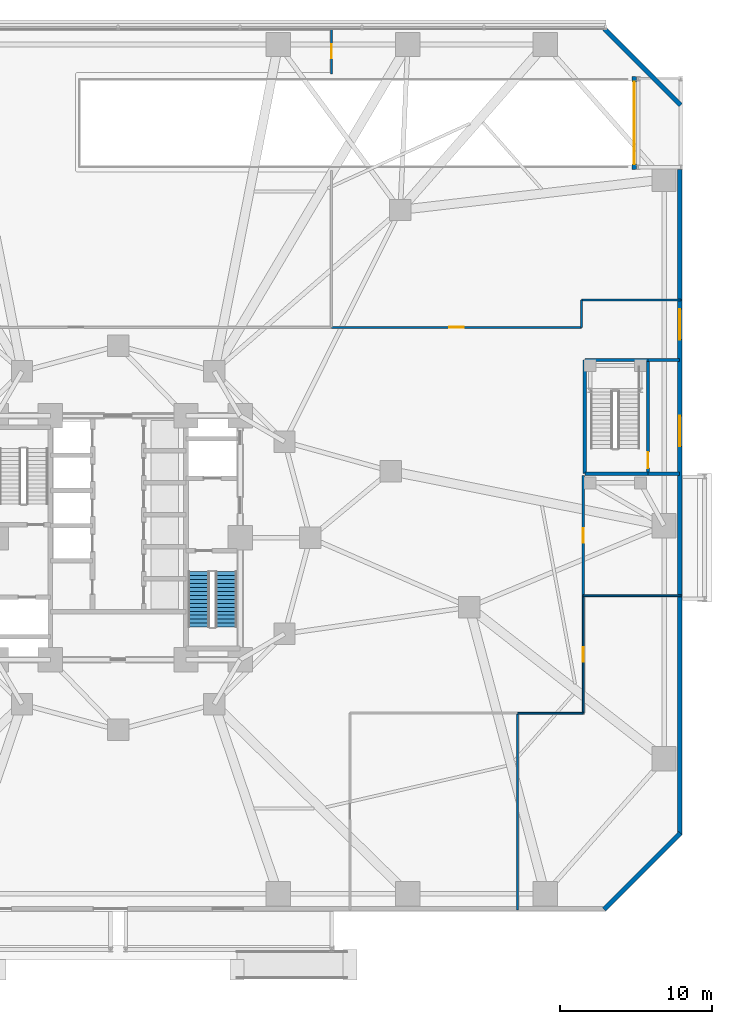
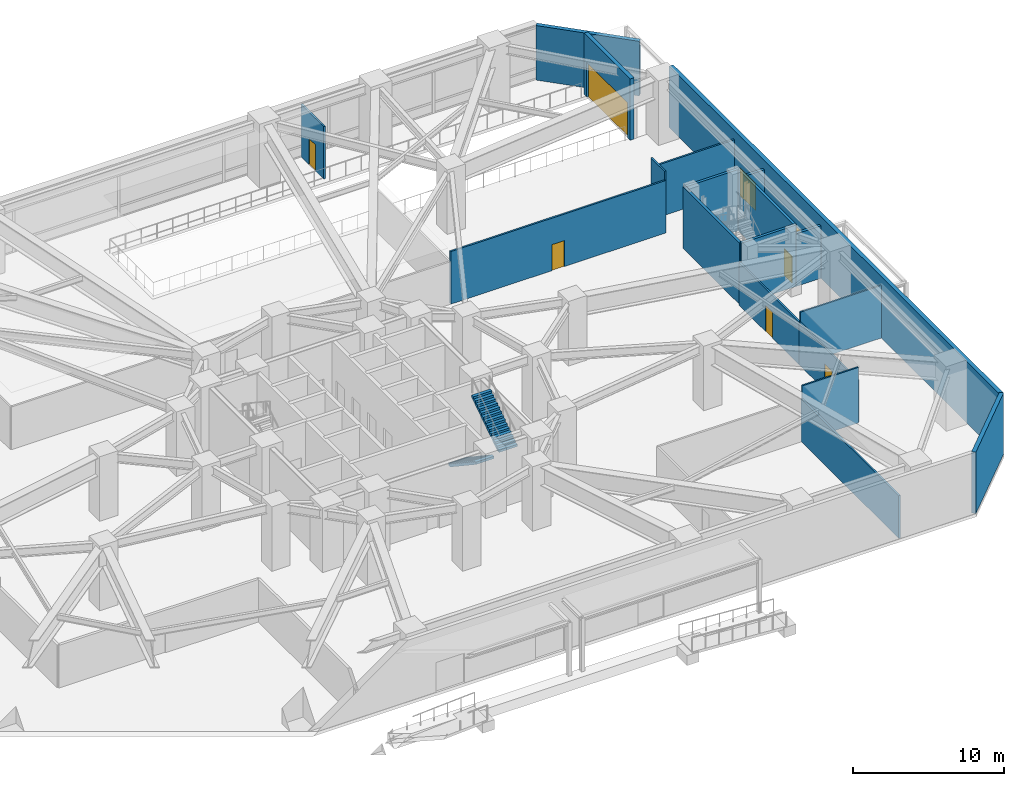
# One storey, part 20 of 30: 19 walls, 8 doors, 2 stair flights, 8 openings, 1 element without a shape of its own.
"""IFC4 building model written with IfcOpenShell, lengths in metres."""

import ifcopenshell
import ifcopenshell.guid

model = None  # the IFC model being written
_history = None  # IfcOwnerHistory: only IFC2X3 demands one
_inside = {}  # id of a spatial element -> (the spatial element, [elements in it])
_under = {}  # id of a project, library or spatial element -> (it, [spatial elements below it])
_declared = {}  # id of a project -> (the project, [libraries it declares])
_typed = {}  # id of a type object -> (the type object, [elements of that type])
_made_of = {}  # id of a material, layer set ... -> (it, [elements and type objects made of it])


def new_model(schema):
    """Start an empty IFC model of exactly this schema.

    Asked for "IFC4X3", IfcOpenShell would pick the latest addendum, in which some entities
    have other attributes; the version numbers below select the first issue.
    IFC2X3 requires an IfcOwnerHistory on every rooted entity: one is made here for all.
    """
    global model, _history
    if schema == "IFC4X3":
        model = ifcopenshell.file(schema_version=(4, 3, 0, 0))
    else:
        model = ifcopenshell.file(schema=schema)
    _inside.clear()
    _under.clear()
    _declared.clear()
    _typed.clear()
    _made_of.clear()
    _history = None
    if model.schema == "IFC2X3":
        org = make("IfcOrganization", Name="unknown")
        user = make(
            "IfcPersonAndOrganization",
            ThePerson=make("IfcPerson", FamilyName="unknown"),
            TheOrganization=org,
        )
        app = make(
            "IfcApplication",
            ApplicationDeveloper=org,
            Version="unknown",
            ApplicationFullName="unknown",
            ApplicationIdentifier="unknown",
        )
        _history = make(
            "IfcOwnerHistory",
            OwningUser=user,
            OwningApplication=app,
            ChangeAction="ADDED",
            CreationDate=0,
        )
    return model


def make(cls, **values):
    """One entity of the class cls with the attributes given. An attribute that is None is left unset."""
    return model.create_entity(
        cls, **{name: value for name, value in values.items() if value is not None}
    )


def rooted(cls, **values):
    """An entity with a GlobalId (a new one), such as an element, a storey or a relation."""
    return make(cls, GlobalId=ifcopenshell.guid.new(), OwnerHistory=_history, **values)


def si_unit(unit_type, name, prefix=None):
    """IfcSIUnit, for example si_unit("LENGTHUNIT", "METRE", prefix="MILLI")."""
    return make("IfcSIUnit", UnitType=unit_type, Prefix=prefix, Name=name)


def assignment(units):
    """IfcUnitAssignment: the units of a project."""
    return None if units is None else make("IfcUnitAssignment", Units=units)


def point(xyz):
    """IfcCartesianPoint."""
    return None if xyz is None else make("IfcCartesianPoint", Coordinates=xyz)


def direction(xyz):
    """IfcDirection."""
    return None if xyz is None else make("IfcDirection", DirectionRatios=xyz)


def frame(location, z_axis=None, x_axis=None):
    """IfcAxis2Placement3D, a coordinate frame: its origin and axes. An axis left out is left unset."""
    return make(
        "IfcAxis2Placement3D",
        Location=point(location),
        Axis=direction(z_axis),
        RefDirection=direction(x_axis),
    )


def frame_2d(location, x_axis=None):
    """IfcAxis2Placement2D, a coordinate frame in the plane: its origin and x axis."""
    return make(
        "IfcAxis2Placement2D", Location=point(location), RefDirection=direction(x_axis)
    )


def origin():
    """The frame at (0, 0, 0) with its axes left unset."""
    return frame((0.0, 0.0, 0.0))


def place(relative_to, where):
    """IfcLocalPlacement: puts the frame where relative to a parent placement (None: the world)."""
    return make(
        "IfcLocalPlacement", PlacementRelTo=relative_to, RelativePlacement=where
    )


def context(
    kind, dimensions, precision=None, world=None, true_north=None, identifier=None
):
    """IfcGeometricRepresentationContext, for example the 3D "Model" context."""
    return make(
        "IfcGeometricRepresentationContext",
        ContextIdentifier=identifier,
        ContextType=kind,
        CoordinateSpaceDimension=dimensions,
        Precision=precision,
        WorldCoordinateSystem=world,
        TrueNorth=true_north,
    )


def subcontext(parent, identifier, kind, view, scale=None):
    """IfcGeometricRepresentationSubContext, for example "Body" below "Model"."""
    return make(
        "IfcGeometricRepresentationSubContext",
        ContextIdentifier=identifier,
        ContextType=kind,
        ParentContext=parent,
        TargetScale=scale,
        TargetView=view,
    )


def project(units=None, contexts=None):
    """IfcProject with its units and contexts."""
    return rooted(
        "IfcProject",
        Name="project",
        RepresentationContexts=contexts,
        UnitsInContext=assignment(units),
    )


def spatial(cls, under=None, at=None, **own):
    """A site, building, storey or space (cls), placed at a placement, below another one or the project."""
    s = rooted(cls, ObjectPlacement=at, **own)
    if under is not None:
        _under.setdefault(under.id(), (under, []))[1].append(s)
    return s


def polyline(points):
    """IfcPolyline through the points."""
    return make("IfcPolyline", Points=[point(p) for p in points])


def profile(cls, at=None, kind="AREA", **sizes):
    """A parametric profile (cls). Its sizes go by their IFC names, for example OverallWidth=200.0."""
    return make(cls, ProfileType=kind, Position=at, **sizes)


def rectangle(**sizes):
    """IfcRectangleProfileDef."""
    return profile("IfcRectangleProfileDef", **sizes)


def outline(outer, holes=None, kind="AREA"):
    """IfcArbitraryClosedProfileDef: a profile drawn as a closed curve; with holes, ...WithVoids."""
    if holes is None:
        return make("IfcArbitraryClosedProfileDef", ProfileType=kind, OuterCurve=outer)
    return make(
        "IfcArbitraryProfileDefWithVoids",
        ProfileType=kind,
        OuterCurve=outer,
        InnerCurves=holes,
    )


def extrude(swept, where, along, depth):
    """IfcExtrudedAreaSolid: the profile swept, set in the frame where, extruded along a direction by depth."""
    return make(
        "IfcExtrudedAreaSolid",
        SweptArea=swept,
        Position=where,
        ExtrudedDirection=direction(along),
        Depth=depth,
    )


def shape(context_of_items, identifier, shape_type, items):
    """IfcShapeRepresentation: the items that make up one representation, for example the "Body"."""
    return make(
        "IfcShapeRepresentation",
        ContextOfItems=context_of_items,
        RepresentationIdentifier=identifier,
        RepresentationType=shape_type,
        Items=items,
    )


def material(Name=None, Category=None):
    """IfcMaterial."""
    return make("IfcMaterial", Name=Name, Category=Category)


def layer(
    of_material, thickness, ventilated=None, Name=None, Category=None, Priority=None
):
    """IfcMaterialLayer: one layer of a wall or slab, of a material (None: an air gap)."""
    return make(
        "IfcMaterialLayer",
        Material=of_material,
        LayerThickness=thickness,
        IsVentilated=ventilated,
        Name=Name,
        Category=Category,
        Priority=Priority,
    )


def layer_set(layers, Name=None):
    """IfcMaterialLayerSet."""
    return make("IfcMaterialLayerSet", MaterialLayers=layers, LayerSetName=Name)


def made_of(thing, what):
    """Note that an element or type object is made of a material, layer set ...; save() writes the relation."""
    if what is not None:
        _made_of.setdefault(what.id(), (what, []))[1].append(thing)
    return thing


def type_object(cls, material=None, **own):
    """A type object (cls), such as IfcWallType, which elements share."""
    return made_of(rooted(cls, **own), material)


def element(
    cls,
    number,
    at=None,
    inside=None,
    cuts=None,
    type_object=None,
    material=None,
    context=None,
    identifier="Body",
    shape_type=None,
    held_by="IfcProductDefinitionShape",
    body=None,
    shapes=None,
    **own,
):
    """One element of the class cls, such as IfcWall. Its Tag is "e" and its number.

    at: its placement. inside: the storey or other place that contains it. cuts: it is an
    opening in that element (IfcRelVoidsElement). A single representation is given by context,
    identifier, shape_type and body (its items); several are given by shapes. held_by: the class
    of the entity that holds the representations. save() writes the other relations.
    """
    e = rooted(cls, Tag="e%d" % number, ObjectPlacement=at, **own)
    if body is not None:
        shapes = [shape(context, identifier, shape_type, body)]
    if shapes is not None:
        e.Representation = make(held_by, Representations=shapes)
    if inside is not None:
        _inside.setdefault(inside.id(), (inside, []))[1].append(e)
    if cuts is not None:
        rooted(
            "IfcRelVoidsElement", RelatingBuildingElement=cuts, RelatedOpeningElement=e
        )
    if type_object is not None:
        _typed.setdefault(type_object.id(), (type_object, []))[1].append(e)
    return made_of(e, material)


def fill(opening, filler):
    """IfcRelFillsElement: the door or window that sits in an opening."""
    return rooted(
        "IfcRelFillsElement",
        RelatingOpeningElement=opening,
        RelatedBuildingElement=filler,
    )


def aggregate(whole, parts):
    """IfcRelAggregates: a whole, such as a stair, and the parts it consists of."""
    return rooted("IfcRelAggregates", RelatingObject=whole, RelatedObjects=parts)


def save(model, path):
    """Write the relations noted so far, then the file.

    IfcRelAggregates (storeys below a building ...), IfcRelContainedInSpatialStructure (elements
    in a storey), IfcRelDefinesByType, IfcRelAssociatesMaterial and IfcRelDeclares: one each for
    every whole, place, type object, material and project.
    """
    for whole, parts in _under.values():
        aggregate(whole, parts)
    for where, things in _inside.values():
        rooted(
            "IfcRelContainedInSpatialStructure",
            RelatedElements=things,
            RelatingStructure=where,
        )
    for kind, things in _typed.values():
        rooted("IfcRelDefinesByType", RelatedObjects=things, RelatingType=kind)
    for what, things in _made_of.values():
        rooted("IfcRelAssociatesMaterial", RelatedObjects=things, RelatingMaterial=what)
    for by, libraries in _declared.values():
        rooted("IfcRelDeclares", RelatingContext=by, RelatedDefinitions=libraries)
    model.write(path)


model = new_model("IFC4")

# Units and contexts
model_context = context("Model", 3, precision=1e-05, world=origin(), true_north=direction((0.0, 1.0)))
body_context = subcontext(model_context, "Body", "Model", "MODEL_VIEW")
ifc_project = project(units=[si_unit("LENGTHUNIT", "METRE"), si_unit("AREAUNIT", "SQUARE_METRE"), si_unit("VOLUMEUNIT", "CUBIC_METRE"), si_unit("PLANEANGLEUNIT", "RADIAN"), si_unit("MASSUNIT", "GRAM", prefix="KILO")], contexts=[model_context])

# Site, building, storey
site_placement = place(None, origin())
site = spatial("IfcSite", under=ifc_project, at=site_placement, CompositionType="ELEMENT")
building_placement = place(site_placement, origin())
building = spatial("IfcBuilding", under=site, at=building_placement, Name="Terralouvre Media Tower", CompositionType="ELEMENT")
storey_placement = place(building_placement, origin())
storey = spatial("IfcBuildingStorey", under=building, at=storey_placement, Name="L00", CompositionType="ELEMENT", Elevation=0.0)

# Wall
ifc_material_1 = material(Name="Fire-rated gypsum board drywall partition")
ifc_layer_1 = layer(ifc_material_1, 0.199951171875, Name="Fire-Rated Shaft and Lobby Partition FW-200")
ifc_layer_set_1 = layer_set([ifc_layer_1], Name="Fire-rated gypsum board drywall partition")
wall_type_1 = type_object("IfcWallType", Name="Fire-Rated Shaft and Lobby Partition FW-200", PredefinedType="SOLIDWALL", material=ifc_layer_set_1)
wall_1_placement = place(storey_placement, frame((30.60009765625, 4.199951171875, 0.0), z_axis=(0.0, 0.0, 1.0), x_axis=(1.0, 0.0, 0.0)))
element("IfcWall", 1, at=wall_1_placement, inside=storey, type_object=wall_type_1, Name="L00 ST04 Stair Shaft Wall S", PredefinedType="SOLIDWALL", context=body_context, shape_type="SweptSolid", body=[
    extrude(rectangle(XDim=4.14990234375, YDim=0.199951171875, at=frame_2d((2.074951171875, 0.0))), origin(), (0.0, 0.0, 1.0), 4.949951171875),
])

# Wall, opening, door
wall_2_placement = place(storey_placement, frame((34.75, 4.199951171875, 0.0), z_axis=(0.0, 0.0, 1.0), x_axis=(0.0, 1.0, 0.0)))
wall_2 = element("IfcWall", 2, at=wall_2_placement, inside=storey, type_object=wall_type_1, Name="L00 ST04 Stair Shaft Wall E", PredefinedType="SOLIDWALL", context=body_context, shape_type="SweptSolid", body=[
    extrude(rectangle(XDim=7.449951171875, YDim=0.199951171875, at=frame_2d((3.72509765625, 0.0))), origin(), (0.0, 0.0, 1.0), 4.949951171875),
])
opening_1_placement = place(wall_2_placement, frame((0.360107421875, 0.0, 0.0)))
opening_1 = element("IfcOpeningElement", 3, at=opening_1_placement, cuts=wall_2, Name="Opening FD-01-105X215", PredefinedType="OPENING", context=body_context, shape_type="SweptSolid", body=[
    extrude(rectangle(XDim=1.050048828125, YDim=2.14990234375, at=frame_2d((0.52490234375, 1.074951171875))), frame((0.0, 0.10986328125, 0.0), z_axis=(0.0, -1.0, 0.0), x_axis=(1.0, 0.0, 0.0)), (0.0, 0.0, 1.0), 0.219970703125),
])
ifc_material_2 = material(Name="Galvanised steel fire-resisting leaf", Category="steel")
door_type_1 = type_object("IfcDoorType", Name="Stair and Firefighting Lobby Fire Door FD-01 (1050x2150)", OperationType="NOTDEFINED", PredefinedType="DOOR", material=ifc_material_2)
door_1_placement = place(opening_1_placement, origin())
door_1 = element("IfcDoor", 4, at=door_1_placement, inside=storey, type_object=door_type_1, Name="L00 ST04 Pressurised Stair Door", OperationType="SINGLE_SWING_RIGHT", OverallHeight=2.14990234375, OverallWidth=1.050048828125, PredefinedType="DOOR", context=body_context, shape_type="SweptSolid", body=[
    extrude(rectangle(XDim=1.050048828125, YDim=2.14990234375, at=frame_2d((0.52490234375, 1.074951171875))), frame((0.0, 0.02490234375, 0.0), z_axis=(0.0, -1.0, 0.0), x_axis=(1.0, 0.0, 0.0)), (0.0, 0.0, 1.0), 0.050048828125),
])
fill(opening_1, door_1)

# Walls
wall_3_placement = place(storey_placement, frame((34.75, 11.64990234375, 0.0), z_axis=(0.0, 0.0, 1.0), x_axis=(-1.0, 0.0, 0.0)))
element("IfcWall", 5, at=wall_3_placement, inside=storey, type_object=wall_type_1, Name="L00 ST04 Stair Shaft Wall N", PredefinedType="SOLIDWALL", context=body_context, shape_type="SweptSolid", body=[
    extrude(rectangle(XDim=4.14990234375, YDim=0.199951171875, at=frame_2d((2.074951171875, 0.0))), origin(), (0.0, 0.0, 1.0), 4.949951171875),
])
wall_4_placement = place(storey_placement, frame((30.60009765625, 11.64990234375, 0.0), z_axis=(0.0, 0.0, 1.0), x_axis=(0.0, -1.0, 0.0)))
element("IfcWall", 6, at=wall_4_placement, inside=storey, type_object=wall_type_1, Name="L00 ST04 Stair Shaft Wall W", PredefinedType="SOLIDWALL", context=body_context, shape_type="SweptSolid", body=[
    extrude(rectangle(XDim=7.449951171875, YDim=0.199951171875, at=frame_2d((3.72509765625, 0.0))), origin(), (0.0, 0.0, 1.0), 4.949951171875),
])
for number, where, z_axis, x_axis, name in (
    (7, (34.75, 4.199951171875, 0.0), (0.0, 0.0, 1.0), (1.0, 0.0, 0.0), "L00 East Stair Exit Passageway South Wall"),
    (8, (36.824951171875, 11.64990234375, 0.0), (0.0, 0.0, 1.0), (-1.0, 0.0, 0.0), "L00 East Stair Exit Passageway North Wall"),
):
    element("IfcWall", number, at=place(storey_placement, frame(where, z_axis=z_axis, x_axis=x_axis)), inside=storey, type_object=wall_type_1, Name=name, PredefinedType="SOLIDWALL", context=body_context, shape_type="SweptSolid", body=[
        extrude(rectangle(XDim=2.074951171875, YDim=0.199951171875, at=frame_2d((1.03759765625, 0.0))), origin(), (0.0, 0.0, 1.0), 4.235107421875),
    ])

# Wall, opening, door
ifc_material_3 = material(Name="Fire-rated gypsum board drywall partition")
ifc_layer_2 = layer(ifc_material_3, 0.135009765625, Name="Newsroom Acoustic Partition PT-135")
ifc_layer_set_2 = layer_set([ifc_layer_2], Name="Fire-rated gypsum board drywall partition")
wall_type_2 = type_object("IfcWallType", Name="Newsroom Acoustic Partition PT-135", PredefinedType="PARTITIONING", material=ifc_layer_set_2)
wall_5_placement = place(storey_placement, frame((30.5, -3.800048828125, 0.0), z_axis=(0.0, 0.0, 1.0), x_axis=(0.0, 1.0, 0.0)))
wall_5 = element("IfcWall", 9, at=wall_5_placement, inside=storey, type_object=wall_type_2, Name="L00 Interior Partition 008", PredefinedType="PARTITIONING", context=body_context, shape_type="SweptSolid", body=[
    extrude(rectangle(XDim=7.900146484375, YDim=0.135009765625, at=frame_2d((3.9501953125, 0.0))), origin(), (0.0, 0.0, 1.0), 3.43505859375),
])
opening_2_placement = place(wall_5_placement, frame((3.47509765625, 0.0, 0.0)))
opening_2 = element("IfcOpeningElement", 10, at=opening_2_placement, cuts=wall_5, Name="Opening ID-02-95X210", PredefinedType="OPENING", context=body_context, shape_type="SweptSolid", body=[
    extrude(rectangle(XDim=0.949951171875, YDim=2.10009765625, at=frame_2d((0.47509765625, 1.050048828125))), frame((0.0, 0.077392578125, 0.0), z_axis=(0.0, -1.0, 0.0), x_axis=(1.0, 0.0, 0.0)), (0.0, 0.0, 1.0), 0.155029296875),
])
ifc_material_4 = material(Name="Engineered hardwood acoustic timber leaf", Category="wood")
door_type_2 = type_object("IfcDoorType", Name="Office and Meeting Room Door ID-02 (950x2100)", OperationType="NOTDEFINED", PredefinedType="DOOR", material=ifc_material_4)
door_2_placement = place(opening_2_placement, origin())
door_2 = element("IfcDoor", 11, at=door_2_placement, inside=storey, type_object=door_type_2, Name="L00 Broadcast Staging Store 5 Door", OperationType="SINGLE_SWING_LEFT", OverallHeight=2.10009765625, OverallWidth=0.949951171875, PredefinedType="DOOR", context=body_context, shape_type="SweptSolid", body=[
    extrude(rectangle(XDim=0.949951171875, YDim=2.10009765625, at=frame_2d((0.47509765625, 1.050048828125))), frame((0.0, 0.02490234375, 0.0), z_axis=(0.0, -1.0, 0.0), x_axis=(1.0, 0.0, 0.0)), (0.0, 0.0, 1.0), 0.050048828125),
])
fill(opening_2, door_2)

# Walls
wall_6_placement = place(storey_placement, frame((36.919921875, 15.60009765625, 0.0), z_axis=(0.0, 0.0, 1.0), x_axis=(-1.0, 0.0, 0.0)))
element("IfcWall", 12, at=wall_6_placement, inside=storey, type_object=wall_type_2, Name="L00 Interior Partition 009", PredefinedType="PARTITIONING", context=body_context, shape_type="SweptSolid", body=[
    extrude(rectangle(XDim=6.52001953125, YDim=0.135009765625, at=frame_2d((3.260009765625, 0.0))), origin(), (0.0, 0.0, 1.0), 4.235107421875),
])
wall_7_placement = place(storey_placement, frame((30.39990234375, 15.60009765625, 0.0), z_axis=(0.0, 0.0, 1.0), x_axis=(0.0, -1.0, 0.0)))
element("IfcWall", 13, at=wall_7_placement, inside=storey, type_object=wall_type_2, Name="L00 Interior Partition 010", PredefinedType="PARTITIONING", context=body_context, shape_type="SweptSolid", body=[
    extrude(rectangle(XDim=1.800048828125, YDim=0.135009765625, at=frame_2d((0.89990234375, 0.0))), origin(), (0.0, 0.0, 1.0), 4.949951171875),
])

# Wall, opening, door
wall_8_placement = place(storey_placement, frame((30.39990234375, 13.800048828125, 0.0), z_axis=(0.0, 0.0, 1.0), x_axis=(-1.0, 0.0, 0.0)))
wall_8 = element("IfcWall", 14, at=wall_8_placement, inside=storey, type_object=wall_type_2, Name="L00 Interior Partition 011", PredefinedType="PARTITIONING", context=body_context, shape_type="SweptSolid", body=[
    extrude(rectangle(XDim=16.39990234375, YDim=0.135009765625, at=frame_2d((8.199951171875, 0.0))), origin(), (0.0, 0.0, 1.0), 4.235107421875),
])
opening_3_placement = place(wall_8_placement, frame((7.72509765625, 0.0, 0.0)))
opening_3 = element("IfcOpeningElement", 15, at=opening_3_placement, cuts=wall_8, Name="Opening ID-02-95X210", PredefinedType="OPENING", context=body_context, shape_type="SweptSolid", body=[
    extrude(rectangle(XDim=0.949951171875, YDim=2.10009765625, at=frame_2d((0.47509765625, 1.050048828125))), frame((0.0, 0.077392578125, 0.0), z_axis=(0.0, -1.0, 0.0), x_axis=(1.0, 0.0, 0.0)), (0.0, 0.0, 1.0), 0.155029296875),
])
door_3_placement = place(opening_3_placement, origin())
door_3 = element("IfcDoor", 16, at=door_3_placement, inside=storey, type_object=door_type_2, Name="L00 Broadcast Staging Store 6 Door", OperationType="SINGLE_SWING_RIGHT", OverallHeight=2.10009765625, OverallWidth=0.949951171875, PredefinedType="DOOR", context=body_context, shape_type="SweptSolid", body=[
    extrude(rectangle(XDim=0.949951171875, YDim=2.10009765625, at=frame_2d((0.47509765625, 1.050048828125))), frame((0.0, 0.02490234375, 0.0), z_axis=(0.0, -1.0, 0.0), x_axis=(1.0, 0.0, 0.0)), (0.0, 0.0, 1.0), 0.050048828125),
])
fill(opening_3, door_3)

# Wall
wall_9_placement = place(storey_placement, frame((26.199951171875, -24.419921875, 0.0), z_axis=(0.0, 0.0, 1.0), x_axis=(0.0, 1.0, 0.0)))
element("IfcWall", 17, at=wall_9_placement, inside=storey, type_object=wall_type_2, Name="L00 Interior Partition 020", PredefinedType="PARTITIONING", context=body_context, shape_type="SweptSolid", body=[
    extrude(rectangle(XDim=12.919921875, YDim=0.135009765625, at=frame_2d((6.4599609375, 0.0))), origin(), (0.0, 0.0, 1.0), 3.43505859375),
])

# Wall, opening, door
wall_10_placement = place(storey_placement, frame((14.0, 33.419921875, 0.0), z_axis=(0.0, 0.0, 1.0), x_axis=(0.0, -1.0, 0.0)))
wall_10 = element("IfcWall", 18, at=wall_10_placement, inside=storey, type_object=wall_type_2, Name="L00 Interior Partition 023", PredefinedType="PARTITIONING", context=body_context, shape_type="SweptSolid", body=[
    extrude(rectangle(XDim=3.02001953125, YDim=0.135009765625, at=frame_2d((1.510009765625, 0.0))), origin(), (0.0, 0.0, 1.0), 4.235107421875),
])
opening_4_placement = place(wall_10_placement, frame((1.050048828125, 0.0, 0.0)))
opening_4 = element("IfcOpeningElement", 19, at=opening_4_placement, cuts=wall_10, Name="Opening ID-03-92X210", PredefinedType="OPENING", context=body_context, shape_type="SweptSolid", body=[
    extrude(rectangle(XDim=0.919921875, YDim=2.10009765625, at=frame_2d((0.4599609375, 1.050048828125))), frame((0.0, 0.077392578125, 0.0), z_axis=(0.0, -1.0, 0.0), x_axis=(1.0, 0.0, 0.0)), (0.0, 0.0, 1.0), 0.155029296875),
])
ifc_material_5 = material(Name="Engineered hardwood acoustic timber leaf", Category="wood")
door_type_3 = type_object("IfcDoorType", Name="Accessible Restroom and Suite Door ID-03 (920x2100)", OperationType="NOTDEFINED", PredefinedType="DOOR", material=ifc_material_5)
door_4_placement = place(opening_4_placement, origin())
door_4 = element("IfcDoor", 20, at=door_4_placement, inside=storey, type_object=door_type_3, Name="L00 Broadcast Staging Store 7 Door", OperationType="SINGLE_SWING_LEFT", OverallHeight=2.10009765625, OverallWidth=0.919921875, PredefinedType="DOOR", context=body_context, shape_type="SweptSolid", body=[
    extrude(rectangle(XDim=0.919921875, YDim=2.10009765625, at=frame_2d((0.4599609375, 1.050048828125))), frame((0.0, 0.02490234375, 0.0), z_axis=(0.0, -1.0, 0.0), x_axis=(1.0, 0.0, 0.0)), (0.0, 0.0, 1.0), 0.050048828125),
])
fill(opening_4, door_4)

# Wall
ifc_material_6 = material(Name="Kiln-fired architectural terracotta rainscreen cladding", Category="masonry")
ifc_layer_3 = layer(ifc_material_6, 0.300048828125, Name="Podium Acoustic Terracotta Cladding Wall EW-TC300")
ifc_layer_set_3 = layer_set([ifc_layer_3], Name="Kiln-fired architectural terracotta rainscreen cladding")
wall_type_3 = type_object("IfcWallType", Name="Podium Acoustic Terracotta Cladding Wall EW-TC300", PredefinedType="SOLIDWALL", material=ifc_layer_set_3)
wall_11_placement = place(storey_placement, frame((31.876220703125, -24.376220703125, 0.0), z_axis=(0.0, 0.0, 1.0), x_axis=(0.707106781187, 0.707106781187, 0.0)))
element("IfcWall", 21, at=wall_11_placement, inside=storey, type_object=wall_type_3, Name="L00 Podium Terracotta Wall F1", PredefinedType="SOLIDWALL", context=body_context, shape_type="SweptSolid", body=[
    extrude(rectangle(XDim=7.071044921875, YDim=0.300048828125, at=frame_2d((3.53564453125, 0.0))), origin(), (0.0, 0.0, 1.0), 4.949951171875),
])

# Wall, openings, doors
wall_12_placement = place(storey_placement, frame((36.824951171875, -19.5, 0.0), z_axis=(0.0, 0.0, 1.0), x_axis=(0.0, 1.0, 0.0)))
wall_12 = element("IfcWall", 22, at=wall_12_placement, inside=storey, type_object=wall_type_3, Name="L00 East Broadcast Service Wall", PredefinedType="SOLIDWALL", context=body_context, shape_type="SweptSolid", body=[
    extrude(rectangle(XDim=43.64990234375, YDim=0.300048828125, at=frame_2d((21.824951171875, 0.0))), origin(), (0.0, 0.0, 1.0), 4.949951171875),
])
opening_5_placement = place(wall_12_placement, frame((32.5, 0.0, 0.0)))
opening_5 = element("IfcOpeningElement", 23, at=opening_5_placement, cuts=wall_12, Name="Opening ED-02", PredefinedType="OPENING", context=body_context, shape_type="SweptSolid", body=[
    extrude(rectangle(XDim=2.0, YDim=2.199951171875, at=frame_2d((1.0, 1.10009765625))), frame((0.0, 0.159912109375, 0.0), z_axis=(0.0, -1.0, 0.0), x_axis=(1.0, 0.0, 0.0)), (0.0, 0.0, 1.0), 0.320068359375),
])
opening_6_placement = place(wall_12_placement, frame((25.5, 0.0, 0.0)))
opening_6 = element("IfcOpeningElement", 24, at=opening_6_placement, cuts=wall_12, Name="Opening ED-02", PredefinedType="OPENING", context=body_context, shape_type="SweptSolid", body=[
    extrude(rectangle(XDim=2.0, YDim=2.199951171875, at=frame_2d((1.0, 1.10009765625))), frame((0.0, 0.159912109375, 0.0), z_axis=(0.0, -1.0, 0.0), x_axis=(1.0, 0.0, 0.0)), (0.0, 0.0, 1.0), 0.320068359375),
])
ifc_material_7 = material(Name="Galvanised steel sheet and fire-rated mineral core", Category="steel")
door_type_4 = type_object("IfcDoorType", Name="Ground Final Exit Double Door ED-02", OperationType="DOUBLE_DOOR_SINGLE_SWING", PredefinedType="DOOR", material=ifc_material_7)
door_5_placement = place(opening_5_placement, frame((2.0, 0.0, 0.0), z_axis=(0.0, 0.0, 1.0), x_axis=(-1.0, 0.0, 0.0)))
door_5 = element("IfcDoor", 25, at=door_5_placement, inside=storey, type_object=door_type_4, Name="L00 East Final Exit Door", OperationType="DOUBLE_DOOR_SINGLE_SWING", OverallHeight=2.199951171875, OverallWidth=2.0, PredefinedType="DOOR", context=body_context, shape_type="SweptSolid", body=[
    extrude(rectangle(XDim=2.0, YDim=2.199951171875, at=frame_2d((1.0, 1.10009765625))), frame((0.0, 0.02490234375, 0.0), z_axis=(0.0, -1.0, 0.0), x_axis=(1.0, 0.0, 0.0)), (0.0, 0.0, 1.0), 0.050048828125),
])
fill(opening_5, door_5)
door_6_placement = place(opening_6_placement, frame((2.0, 0.0, 0.0), z_axis=(0.0, 0.0, 1.0), x_axis=(-1.0, 0.0, 0.0)))
door_6 = element("IfcDoor", 26, at=door_6_placement, inside=storey, type_object=door_type_4, Name="L00 East Stair ST-04 Direct Final Exit Door", OperationType="DOUBLE_DOOR_SINGLE_SWING", OverallHeight=2.199951171875, OverallWidth=2.0, PredefinedType="DOOR", context=body_context, shape_type="SweptSolid", body=[
    extrude(rectangle(XDim=2.0, YDim=2.199951171875, at=frame_2d((1.0, 1.10009765625))), frame((0.0, 0.02490234375, 0.0), z_axis=(0.0, -1.0, 0.0), x_axis=(1.0, 0.0, 0.0)), (0.0, 0.0, 1.0), 0.050048828125),
])
fill(opening_6, door_6)

# Wall, opening, door
wall_13_placement = place(storey_placement, frame((33.85009765625, 24.14990234375, 0.0), z_axis=(0.0, 0.0, 1.0), x_axis=(0.0, 1.0, 0.0)))
wall_13 = element("IfcWall", 27, at=wall_13_placement, inside=storey, type_object=wall_type_3, Name="L00 Vehicle Ramp Portal Wall", PredefinedType="SOLIDWALL", context=body_context, shape_type="SweptSolid", body=[
    extrude(rectangle(XDim=6.10009765625, YDim=0.300048828125, at=frame_2d((3.050048828125, 0.0))), origin(), (0.0, 0.0, 1.0), 4.949951171875),
])
opening_7_placement = place(wall_13_placement, frame((0.35009765625, 0.0, 0.0)))
opening_7 = element("IfcOpeningElement", 28, at=opening_7_placement, cuts=wall_13, Name="Opening VG-01", PredefinedType="OPENING", context=body_context, shape_type="SweptSolid", body=[
    extrude(rectangle(XDim=5.39990234375, YDim=2.800048828125, at=frame_2d((2.699951171875, 1.39990234375))), frame((0.0, 0.159912109375, 0.0), z_axis=(0.0, -1.0, 0.0), x_axis=(1.0, 0.0, 0.0)), (0.0, 0.0, 1.0), 0.320068359375),
])
ifc_material_8 = material(Name="Galvanised steel fire-resisting shutter lath", Category="steel")
door_type_5 = type_object("IfcDoorType", Name="Vehicle Ramp Roller Shutter Gate VG-01", OperationType="ROLLINGUP", PredefinedType="GATE", material=ifc_material_8)
door_7_placement = place(opening_7_placement, origin())
door_7 = element("IfcDoor", 29, at=door_7_placement, inside=storey, type_object=door_type_5, Name="Vehicle Ramp Roller Shutter Gate VG-01", OperationType="ROLLINGUP", OverallHeight=2.800048828125, OverallWidth=5.39990234375, PredefinedType="GATE", context=body_context, shape_type="SweptSolid", body=[
    extrude(rectangle(XDim=5.39990234375, YDim=2.800048828125, at=frame_2d((2.699951171875, 1.39990234375))), frame((0.0, 0.02490234375, 0.0), z_axis=(0.0, -1.0, 0.0), x_axis=(1.0, 0.0, 0.0)), (0.0, 0.0, 1.0), 0.050048828125),
])
fill(opening_7, door_7)

# Walls
wall_14_placement = place(storey_placement, frame((36.876220703125, 28.376220703125, 0.0), z_axis=(0.0, 0.0, 1.0), x_axis=(-0.707106781187, 0.707106781187, 0.0)))
element("IfcWall", 30, at=wall_14_placement, inside=storey, type_object=wall_type_3, Name="L00 Podium Terracotta Wall F3", PredefinedType="SOLIDWALL", context=body_context, shape_type="SweptSolid", body=[
    extrude(rectangle(XDim=7.071044921875, YDim=0.300048828125, at=frame_2d((3.53564453125, 0.0))), origin(), (0.0, 0.0, 1.0), 4.39990234375),
])
ifc_material_9 = material(Name="Fire-rated gypsum board drywall partition")
ifc_layer_4 = layer(ifc_material_9, 0.114990234375, Name="Restroom and Pantry Partition PT-115")
ifc_layer_set_4 = layer_set([ifc_layer_4], Name="Fire-rated gypsum board drywall partition")
wall_type_4 = type_object("IfcWallType", Name="Restroom and Pantry Partition PT-115", PredefinedType="PARTITIONING", material=ifc_layer_set_4)
wall_15_placement = place(storey_placement, frame((26.199951171875, -11.5, 0.0), z_axis=(0.0, 0.0, 1.0), x_axis=(1.0, 0.0, 0.0)))
element("IfcWall", 31, at=wall_15_placement, inside=storey, type_object=wall_type_4, Name="L00 Interior Partition 006", PredefinedType="PARTITIONING", context=body_context, shape_type="SweptSolid", body=[
    extrude(rectangle(XDim=4.300048828125, YDim=0.114990234375, at=frame_2d((2.14990234375, 0.0))), origin(), (0.0, 0.0, 1.0), 4.485107421875),
])

# Wall, opening, door
wall_16_placement = place(storey_placement, frame((30.5, -11.5, 0.0), z_axis=(0.0, 0.0, 1.0), x_axis=(0.0, 1.0, 0.0)))
wall_16 = element("IfcWall", 32, at=wall_16_placement, inside=storey, type_object=wall_type_4, Name="L00 Interior Partition 007", PredefinedType="PARTITIONING", context=body_context, shape_type="SweptSolid", body=[
    extrude(rectangle(XDim=7.699951171875, YDim=0.114990234375, at=frame_2d((3.85009765625, 0.0))), origin(), (0.0, 0.0, 1.0), 3.43505859375),
])
opening_8_placement = place(wall_16_placement, frame((3.375, 0.0, 0.0)))
opening_8 = element("IfcOpeningElement", 33, at=opening_8_placement, cuts=wall_16, Name="Opening SD-01-95X210", PredefinedType="OPENING", context=body_context, shape_type="SweptSolid", body=[
    extrude(rectangle(XDim=0.949951171875, YDim=2.10009765625, at=frame_2d((0.47509765625, 1.050048828125))), frame((0.0, 0.0673828125, 0.0), z_axis=(0.0, -1.0, 0.0), x_axis=(1.0, 0.0, 0.0)), (0.0, 0.0, 1.0), 0.135009765625),
])
ifc_material_10 = material(Name="Anodised extruded aluminium 6063-T6", Category="aluminium")
door_type_6 = type_object("IfcDoorType", Name="Pantry Pocket Sliding Door SD-01 (950x2100)", OperationType="SLIDING_TO_LEFT", PredefinedType="DOOR", material=ifc_material_10)
door_8_placement = place(opening_8_placement, origin())
door_8 = element("IfcDoor", 34, at=door_8_placement, inside=storey, type_object=door_type_6, Name="L00 Broadcast Boulevard Cafe Kitchen Door", OperationType="SLIDING_TO_LEFT", OverallHeight=2.10009765625, OverallWidth=0.949951171875, PredefinedType="DOOR", context=body_context, shape_type="SweptSolid", body=[
    extrude(rectangle(XDim=0.949951171875, YDim=2.10009765625, at=frame_2d((0.47509765625, 1.050048828125))), frame((0.0, 0.02490234375, 0.0), z_axis=(0.0, -1.0, 0.0), x_axis=(1.0, 0.0, 0.0)), (0.0, 0.0, 1.0), 0.050048828125),
])
fill(opening_8, door_8)

# Wall
wall_17_placement = place(storey_placement, frame((36.919921875, -3.800048828125, 0.0), z_axis=(0.0, 0.0, 1.0), x_axis=(-1.0, 0.0, 0.0)))
element("IfcWall", 35, at=wall_17_placement, inside=storey, type_object=wall_type_4, Name="L00 Interior Partition 021", PredefinedType="PARTITIONING", context=body_context, shape_type="SweptSolid", body=[
    extrude(rectangle(XDim=6.419921875, YDim=0.114990234375, at=frame_2d((3.2099609375, 0.0))), origin(), (0.0, 0.0, 1.0), 4.235107421875),
])

# Stair, stair flights
ifc_material_11 = material(Name="Concrete C45/55", Category="concrete")
stair_type = type_object("IfcStairType", Name="Dogleg Stair Assembly ST-02", PredefinedType="HALF_TURN_STAIR", material=ifc_material_11)
stair_placement = place(storey_placement, origin())
stair = element("IfcStair", 36, at=stair_placement, inside=storey, type_object=stair_type, Name="L00 Core Pressurised Exit Stair ST-02", PredefinedType="HALF_TURN_STAIR")
ifc_material_12 = material(Name="Concrete C45/55", Category="concrete")
stair_flight_type = type_object("IfcStairFlightType", Name="Reinforced Concrete Stair Flight SF-RC1", PredefinedType="STRAIGHT", material=ifc_material_12)
stair_flight_1_placement = place(storey_placement, frame((5.300048828125, -2.219970703125, 0.0), z_axis=(0.0, 0.0, 1.0), x_axis=(0.0, -1.0, 0.0)))
stair_flight_1 = element("IfcStairFlight", 37, at=stair_flight_1_placement, type_object=stair_flight_type, Name="ST-02 flight 1", NumberOfRisers=15, NumberOfTreads=14, PredefinedType="STRAIGHT", RiserHeight=0.173333333, TreadLength=0.26, context=body_context, shape_type="SweptSolid", body=[
    extrude(outline(polyline([(0.0, 0.0), (0.0, 0.17333984375), (0.260009765625, 0.17333984375), (0.260009765625, 0.3466796875), (0.52001953125, 0.3466796875), (0.52001953125, 0.52001953125), (0.780029296875, 0.52001953125), (0.780029296875, 0.693359375), (1.0400390625, 0.693359375), (1.0400390625, 0.86669921875), (1.300048828125, 0.86669921875), (1.300048828125, 1.0400390625), (1.56005859375, 1.0400390625), (1.56005859375, 1.21337890625), (1.820068359375, 1.21337890625), (1.820068359375, 1.38671875), (2.080078125, 1.38671875), (2.080078125, 1.56005859375), (2.340087890625, 1.56005859375), (2.340087890625, 1.7333984375), (2.60009765625, 1.7333984375), (2.60009765625, 1.90673828125), (2.860107421875, 1.90673828125), (2.860107421875, 2.080078125), (3.1201171875, 2.080078125), (3.1201171875, 2.25341796875), (3.3798828125, 2.25341796875), (3.3798828125, 2.4267578125), (3.639892578125, 2.4267578125), (3.639892578125, 2.60009765625), (3.639892578125, 2.24658203125), (0.270263671875, 0.0), (0.0, 0.0)])), frame((0.0, 0.699951171875, 0.0), z_axis=(0.0, -1.0, 0.0), x_axis=(1.0, 0.0, 0.0)), (0.0, 0.0, 1.0), 1.39990234375),
])
stair_flight_2_placement = place(storey_placement, frame((7.080078125, -5.860107421875, 2.60009765625), z_axis=(0.0, 0.0, 1.0), x_axis=(0.0, 1.0, 0.0)))
stair_flight_2 = element("IfcStairFlight", 38, at=stair_flight_2_placement, type_object=stair_flight_type, Name="ST-02 flight 2", NumberOfRisers=15, NumberOfTreads=14, PredefinedType="STRAIGHT", RiserHeight=0.173333333, TreadLength=0.26, context=body_context, shape_type="SweptSolid", body=[
    extrude(outline(polyline([(0.0, 0.0), (0.0, 0.17333984375), (0.260009765625, 0.17333984375), (0.260009765625, 0.3466796875), (0.52001953125, 0.3466796875), (0.52001953125, 0.52001953125), (0.780029296875, 0.52001953125), (0.780029296875, 0.693359375), (1.0400390625, 0.693359375), (1.0400390625, 0.86669921875), (1.300048828125, 0.86669921875), (1.300048828125, 1.0400390625), (1.56005859375, 1.0400390625), (1.56005859375, 1.21337890625), (1.820068359375, 1.21337890625), (1.820068359375, 1.38671875), (2.080078125, 1.38671875), (2.080078125, 1.56005859375), (2.340087890625, 1.56005859375), (2.340087890625, 1.7333984375), (2.60009765625, 1.7333984375), (2.60009765625, 1.90673828125), (2.860107421875, 1.90673828125), (2.860107421875, 2.080078125), (3.1201171875, 2.080078125), (3.1201171875, 2.25341796875), (3.3798828125, 2.25341796875), (3.3798828125, 2.4267578125), (3.639892578125, 2.4267578125), (3.639892578125, 2.60009765625), (3.639892578125, 2.24658203125), (0.270263671875, 0.0), (0.0, 0.0)])), frame((0.0, 0.699951171875, 0.0), z_axis=(0.0, -1.0, 0.0), x_axis=(1.0, 0.0, 0.0)), (0.0, 0.0, 1.0), 1.39990234375),
])
aggregate(stair, [stair_flight_1, stair_flight_2])

save(model, "model.ifc")
